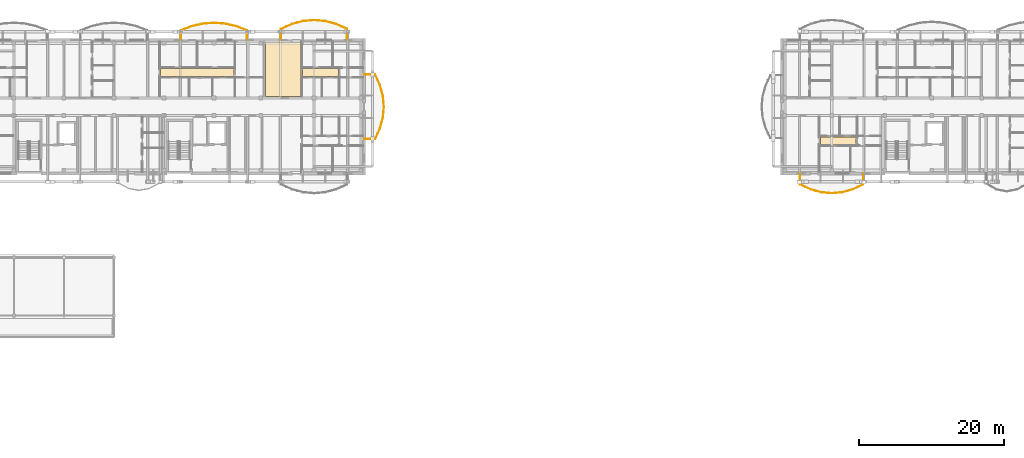
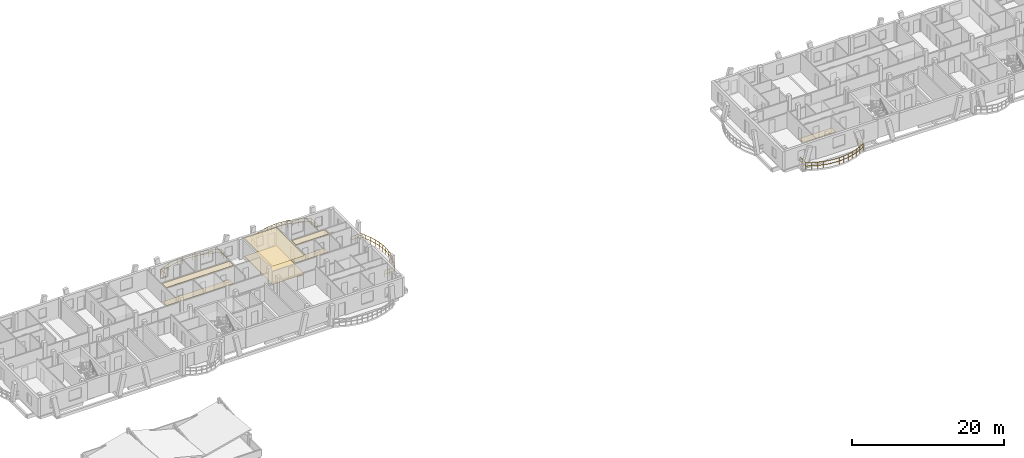
# One storey, part 45 of 50: 7 coverings, 4 railings.
"""IFC4 building model written with IfcOpenShell, lengths in metres."""

import ifcopenshell
import ifcopenshell.guid

model = None  # the IFC model being written
_history = None  # IfcOwnerHistory: only IFC2X3 demands one
_inside = {}  # id of a spatial element -> (the spatial element, [elements in it])
_under = {}  # id of a project, library or spatial element -> (it, [spatial elements below it])
_declared = {}  # id of a project -> (the project, [libraries it declares])
_typed = {}  # id of a type object -> (the type object, [elements of that type])
_made_of = {}  # id of a material, layer set ... -> (it, [elements and type objects made of it])


def new_model(schema):
    """Start an empty IFC model of exactly this schema.

    Asked for "IFC4X3", IfcOpenShell would pick the latest addendum, in which some entities
    have other attributes; the version numbers below select the first issue.
    IFC2X3 requires an IfcOwnerHistory on every rooted entity: one is made here for all.
    """
    global model, _history
    if schema == "IFC4X3":
        model = ifcopenshell.file(schema_version=(4, 3, 0, 0))
    else:
        model = ifcopenshell.file(schema=schema)
    _inside.clear()
    _under.clear()
    _declared.clear()
    _typed.clear()
    _made_of.clear()
    _history = None
    if model.schema == "IFC2X3":
        org = make("IfcOrganization", Name="unknown")
        user = make(
            "IfcPersonAndOrganization",
            ThePerson=make("IfcPerson", FamilyName="unknown"),
            TheOrganization=org,
        )
        app = make(
            "IfcApplication",
            ApplicationDeveloper=org,
            Version="unknown",
            ApplicationFullName="unknown",
            ApplicationIdentifier="unknown",
        )
        _history = make(
            "IfcOwnerHistory",
            OwningUser=user,
            OwningApplication=app,
            ChangeAction="ADDED",
            CreationDate=0,
        )
    return model


def make(cls, **values):
    """One entity of the class cls with the attributes given. An attribute that is None is left unset."""
    return model.create_entity(
        cls, **{name: value for name, value in values.items() if value is not None}
    )


def rooted(cls, **values):
    """An entity with a GlobalId (a new one), such as an element, a storey or a relation."""
    return make(cls, GlobalId=ifcopenshell.guid.new(), OwnerHistory=_history, **values)


def si_unit(unit_type, name, prefix=None):
    """IfcSIUnit, for example si_unit("LENGTHUNIT", "METRE", prefix="MILLI")."""
    return make("IfcSIUnit", UnitType=unit_type, Prefix=prefix, Name=name)


def assignment(units):
    """IfcUnitAssignment: the units of a project."""
    return None if units is None else make("IfcUnitAssignment", Units=units)


def point(xyz):
    """IfcCartesianPoint."""
    return None if xyz is None else make("IfcCartesianPoint", Coordinates=xyz)


def direction(xyz):
    """IfcDirection."""
    return None if xyz is None else make("IfcDirection", DirectionRatios=xyz)


def frame(location, z_axis=None, x_axis=None):
    """IfcAxis2Placement3D, a coordinate frame: its origin and axes. An axis left out is left unset."""
    return make(
        "IfcAxis2Placement3D",
        Location=point(location),
        Axis=direction(z_axis),
        RefDirection=direction(x_axis),
    )


def frame_2d(location, x_axis=None):
    """IfcAxis2Placement2D, a coordinate frame in the plane: its origin and x axis."""
    return make(
        "IfcAxis2Placement2D", Location=point(location), RefDirection=direction(x_axis)
    )


def origin():
    """The frame at (0, 0, 0) with its axes left unset."""
    return frame((0.0, 0.0, 0.0))


def origin_2d():
    """The frame at (0, 0) in the plane with its x axis left unset."""
    return frame_2d((0.0, 0.0))


def place(relative_to, where):
    """IfcLocalPlacement: puts the frame where relative to a parent placement (None: the world)."""
    return make(
        "IfcLocalPlacement", PlacementRelTo=relative_to, RelativePlacement=where
    )


def context(
    kind, dimensions, precision=None, world=None, true_north=None, identifier=None
):
    """IfcGeometricRepresentationContext, for example the 3D "Model" context."""
    return make(
        "IfcGeometricRepresentationContext",
        ContextIdentifier=identifier,
        ContextType=kind,
        CoordinateSpaceDimension=dimensions,
        Precision=precision,
        WorldCoordinateSystem=world,
        TrueNorth=true_north,
    )


def subcontext(parent, identifier, kind, view, scale=None):
    """IfcGeometricRepresentationSubContext, for example "Body" below "Model"."""
    return make(
        "IfcGeometricRepresentationSubContext",
        ContextIdentifier=identifier,
        ContextType=kind,
        ParentContext=parent,
        TargetScale=scale,
        TargetView=view,
    )


def project(units=None, contexts=None):
    """IfcProject with its units and contexts."""
    return rooted(
        "IfcProject",
        Name="project",
        RepresentationContexts=contexts,
        UnitsInContext=assignment(units),
    )


def spatial(cls, under=None, at=None, **own):
    """A site, building, storey or space (cls), placed at a placement, below another one or the project."""
    s = rooted(cls, ObjectPlacement=at, **own)
    if under is not None:
        _under.setdefault(under.id(), (under, []))[1].append(s)
    return s


def polyline(points):
    """IfcPolyline through the points."""
    return make("IfcPolyline", Points=[point(p) for p in points])


def profile(cls, at=None, kind="AREA", **sizes):
    """A parametric profile (cls). Its sizes go by their IFC names, for example OverallWidth=200.0."""
    return make(cls, ProfileType=kind, Position=at, **sizes)


def rectangle(**sizes):
    """IfcRectangleProfileDef."""
    return profile("IfcRectangleProfileDef", **sizes)


def outline(outer, holes=None, kind="AREA"):
    """IfcArbitraryClosedProfileDef: a profile drawn as a closed curve; with holes, ...WithVoids."""
    if holes is None:
        return make("IfcArbitraryClosedProfileDef", ProfileType=kind, OuterCurve=outer)
    return make(
        "IfcArbitraryProfileDefWithVoids",
        ProfileType=kind,
        OuterCurve=outer,
        InnerCurves=holes,
    )


def extrude(swept, where, along, depth):
    """IfcExtrudedAreaSolid: the profile swept, set in the frame where, extruded along a direction by depth."""
    return make(
        "IfcExtrudedAreaSolid",
        SweptArea=swept,
        Position=where,
        ExtrudedDirection=direction(along),
        Depth=depth,
    )


def shape(context_of_items, identifier, shape_type, items):
    """IfcShapeRepresentation: the items that make up one representation, for example the "Body"."""
    return make(
        "IfcShapeRepresentation",
        ContextOfItems=context_of_items,
        RepresentationIdentifier=identifier,
        RepresentationType=shape_type,
        Items=items,
    )


def material(Name=None, Category=None):
    """IfcMaterial."""
    return make("IfcMaterial", Name=Name, Category=Category)


def layer(
    of_material, thickness, ventilated=None, Name=None, Category=None, Priority=None
):
    """IfcMaterialLayer: one layer of a wall or slab, of a material (None: an air gap)."""
    return make(
        "IfcMaterialLayer",
        Material=of_material,
        LayerThickness=thickness,
        IsVentilated=ventilated,
        Name=Name,
        Category=Category,
        Priority=Priority,
    )


def layer_set(layers, Name=None):
    """IfcMaterialLayerSet."""
    return make("IfcMaterialLayerSet", MaterialLayers=layers, LayerSetName=Name)


def made_of(thing, what):
    """Note that an element or type object is made of a material, layer set ...; save() writes the relation."""
    if what is not None:
        _made_of.setdefault(what.id(), (what, []))[1].append(thing)
    return thing


def type_object(cls, material=None, **own):
    """A type object (cls), such as IfcWallType, which elements share."""
    return made_of(rooted(cls, **own), material)


def element(
    cls,
    number,
    at=None,
    inside=None,
    cuts=None,
    type_object=None,
    material=None,
    context=None,
    identifier="Body",
    shape_type=None,
    held_by="IfcProductDefinitionShape",
    body=None,
    shapes=None,
    **own,
):
    """One element of the class cls, such as IfcWall. Its Tag is "e" and its number.

    at: its placement. inside: the storey or other place that contains it. cuts: it is an
    opening in that element (IfcRelVoidsElement). A single representation is given by context,
    identifier, shape_type and body (its items); several are given by shapes. held_by: the class
    of the entity that holds the representations. save() writes the other relations.
    """
    e = rooted(cls, Tag="e%d" % number, ObjectPlacement=at, **own)
    if body is not None:
        shapes = [shape(context, identifier, shape_type, body)]
    if shapes is not None:
        e.Representation = make(held_by, Representations=shapes)
    if inside is not None:
        _inside.setdefault(inside.id(), (inside, []))[1].append(e)
    if cuts is not None:
        rooted(
            "IfcRelVoidsElement", RelatingBuildingElement=cuts, RelatedOpeningElement=e
        )
    if type_object is not None:
        _typed.setdefault(type_object.id(), (type_object, []))[1].append(e)
    return made_of(e, material)


def aggregate(whole, parts):
    """IfcRelAggregates: a whole, such as a stair, and the parts it consists of."""
    return rooted("IfcRelAggregates", RelatingObject=whole, RelatedObjects=parts)


def save(model, path):
    """Write the relations noted so far, then the file.

    IfcRelAggregates (storeys below a building ...), IfcRelContainedInSpatialStructure (elements
    in a storey), IfcRelDefinesByType, IfcRelAssociatesMaterial and IfcRelDeclares: one each for
    every whole, place, type object, material and project.
    """
    for whole, parts in _under.values():
        aggregate(whole, parts)
    for where, things in _inside.values():
        rooted(
            "IfcRelContainedInSpatialStructure",
            RelatedElements=things,
            RelatingStructure=where,
        )
    for kind, things in _typed.values():
        rooted("IfcRelDefinesByType", RelatedObjects=things, RelatingType=kind)
    for what, things in _made_of.values():
        rooted("IfcRelAssociatesMaterial", RelatedObjects=things, RelatingMaterial=what)
    for by, libraries in _declared.values():
        rooted("IfcRelDeclares", RelatingContext=by, RelatedDefinitions=libraries)
    model.write(path)


model = new_model("IFC4")

# Units and contexts
model_context = context("Model", 3, precision=1e-05, world=origin(), true_north=direction((0.0, 1.0)))
body_context = subcontext(model_context, "Body", "Model", "MODEL_VIEW")
ifc_project = project(units=[si_unit("LENGTHUNIT", "METRE"), si_unit("AREAUNIT", "SQUARE_METRE"), si_unit("VOLUMEUNIT", "CUBIC_METRE"), si_unit("PLANEANGLEUNIT", "RADIAN"), si_unit("MASSUNIT", "GRAM", prefix="KILO")], contexts=[model_context])

# Site, building, storey
site_placement = place(None, origin())
site = spatial("IfcSite", under=ifc_project, at=site_placement, CompositionType="ELEMENT")
building_placement = place(site_placement, origin())
building = spatial("IfcBuilding", under=site, at=building_placement, Name="Zavelmont Quarter", CompositionType="ELEMENT")
storey_placement = place(building_placement, frame((0.0, 0.0, 11.199951171875)))
storey = spatial("IfcBuildingStorey", under=building, at=storey_placement, Name="L03", CompositionType="ELEMENT", Elevation=11.199951171875)

# Coverings
ifc_material_1 = material(Name="Perforated acoustic gypsum board")
ifc_layer_1 = layer(ifc_material_1, 0.02490234375)
ifc_layer_set_1 = layer_set([ifc_layer_1], Name="Perforated acoustic gypsum board")
covering_type_1 = type_object("IfcCoveringType", Name="CV-CL01", PredefinedType="CEILING", material=ifc_layer_set_1)
covering_1_placement = place(storey_placement, frame((0.0, 0.0, 2.9150390625)))
element("IfcCovering", 1, at=covering_1_placement, inside=storey, type_object=covering_type_1, Name="L03 Living Dining acoustic ceiling", PredefinedType="CEILING", context=body_context, shape_type="SweptSolid", body=[
    extrude(outline(polyline([(41.6298828125, 115.719970703125), (46.469970703125, 115.719970703125), (46.469970703125, 108.22998046875), (41.6298828125, 108.22998046875), (41.6298828125, 115.719970703125)])), origin(), (0.0, 0.0, 1.0), 0.02490234375),
])
ifc_material_2 = material(Name="Slatted European ash acoustic baffle ceiling")
ifc_layer_2 = layer(ifc_material_2, 0.0400390625)
ifc_layer_set_2 = layer_set([ifc_layer_2], Name="Slatted European ash acoustic baffle ceiling")
covering_type_2 = type_object("IfcCoveringType", Name="CV-CL02", PredefinedType="CEILING", material=ifc_layer_set_2)
covering_2_placement = place(storey_placement, frame((0.0, 0.0, 2.900146484375)))
element("IfcCovering", 2, at=covering_2_placement, inside=storey, type_object=covering_type_2, Name="L03 Apartment Hall acoustic ceiling", PredefinedType="CEILING", context=body_context, shape_type="SweptSolid", body=[
    extrude(outline(polyline([(27.1298828125, 112.070068359375), (37.27001953125, 112.070068359375), (37.27001953125, 110.97998046875), (27.1298828125, 110.97998046875), (27.1298828125, 112.070068359375)])), origin(), (0.0, 0.0, 1.0), 0.039794921875),
])
covering_3_placement = place(storey_placement, frame((0.0, 0.0, 2.900146484375)))
element("IfcCovering", 3, at=covering_3_placement, inside=storey, type_object=covering_type_2, Name="L03 Apartment Hall acoustic ceiling", PredefinedType="CEILING", context=body_context, shape_type="SweptSolid", body=[
    extrude(outline(polyline([(46.72998046875, 112.070068359375), (51.669921875, 112.070068359375), (51.669921875, 110.97998046875), (46.72998046875, 110.97998046875), (46.72998046875, 112.070068359375)])), origin(), (0.0, 0.0, 1.0), 0.039794921875),
])
ifc_material_3 = material(Name="Engineered European oak parquet")
ifc_layer_3 = layer(ifc_material_3, 0.02197265625)
ifc_layer_set_3 = layer_set([ifc_layer_3], Name="Engineered European oak parquet")
covering_type_3 = type_object("IfcCoveringType", Name="CV-FL01", PredefinedType="FLOORING", material=ifc_layer_set_3)
covering_4_placement = place(storey_placement, origin())
element("IfcCovering", 4, at=covering_4_placement, inside=storey, type_object=covering_type_3, Name="L03 Living Dining floor finish", PredefinedType="FLOORING", context=body_context, shape_type="SweptSolid", body=[
    extrude(outline(polyline([(41.6298828125, 115.719970703125), (46.469970703125, 115.719970703125), (46.469970703125, 108.22998046875), (41.6298828125, 108.22998046875), (41.6298828125, 115.719970703125)])), origin(), (0.0, 0.0, 1.0), 0.02197265625),
])
ifc_material_4 = material(Name="Honed Belgian bluestone tile", Category="masonry")
ifc_layer_4 = layer(ifc_material_4, 0.030029296875)
ifc_layer_set_4 = layer_set([ifc_layer_4], Name="Honed Belgian bluestone tile")
covering_type_4 = type_object("IfcCoveringType", Name="CV-FL02", PredefinedType="FLOORING", material=ifc_layer_set_4)
covering_5_placement = place(storey_placement, origin())
element("IfcCovering", 5, at=covering_5_placement, inside=storey, type_object=covering_type_4, Name="L03 Apartment Hall floor finish", PredefinedType="FLOORING", context=body_context, shape_type="SweptSolid", body=[
    extrude(outline(polyline([(27.1298828125, 112.070068359375), (37.27001953125, 112.070068359375), (37.27001953125, 110.97998046875), (27.1298828125, 110.97998046875), (27.1298828125, 112.070068359375)])), origin(), (0.0, 0.0, 1.0), 0.030029296875),
])
covering_6_placement = place(storey_placement, origin())
element("IfcCovering", 6, at=covering_6_placement, inside=storey, type_object=covering_type_4, Name="L03 Apartment Hall floor finish", PredefinedType="FLOORING", context=body_context, shape_type="SweptSolid", body=[
    extrude(outline(polyline([(46.72998046875, 112.070068359375), (51.669921875, 112.070068359375), (51.669921875, 110.97998046875), (46.72998046875, 110.97998046875), (46.72998046875, 112.070068359375)])), origin(), (0.0, 0.0, 1.0), 0.030029296875),
])
covering_7_placement = place(storey_placement, origin())
element("IfcCovering", 7, at=covering_7_placement, inside=storey, type_object=covering_type_4, Name="L03 Apartment Hall floor finish", PredefinedType="FLOORING", context=body_context, shape_type="SweptSolid", body=[
    extrude(outline(polyline([(118.1298828125, 102.6201171875), (123.070068359375, 102.6201171875), (123.070068359375, 101.530029296875), (118.1298828125, 101.530029296875), (118.1298828125, 102.6201171875)])), origin(), (0.0, 0.0, 1.0), 0.030029296875),
])

# Railings
ifc_material_5 = material(Name="Powder-coated steel and tempered double safety glass", Category="steel")
railing_type = type_object("IfcRailingType", Name="RL-BAL1", PredefinedType="BALUSTRADE", material=ifc_material_5)
railing_1_placement = place(storey_placement, frame((39.07275390625, 116.02001953125, 0.0)))
element("IfcRailing", 8, at=railing_1_placement, inside=storey, type_object=railing_type, Name="L03 Block B curved balcony guard RL-BAL1", PredefinedType="BALUSTRADE", context=body_context, shape_type="SweptSolid", body=[
    extrude(rectangle(XDim=0.048095703125, YDim=0.048095703125, at=origin_2d()), frame((0.0, 0.0, 1.076171875), z_axis=(0.0, 1.0, 0.0), x_axis=(-1.0, 0.0, 0.0)), (0.0, 0.0, 1.0), 1.30615234375),
    extrude(rectangle(XDim=0.048095703125, YDim=0.048095703125, at=origin_2d()), frame((0.0, 0.0, 0.550048828125), z_axis=(0.0, 1.0, 0.0), x_axis=(-1.0, 0.0, 0.0)), (0.0, 0.0, 1.0), 1.30615234375),
    extrude(rectangle(XDim=0.048095703125, YDim=0.048095703125, at=origin_2d()), frame((0.0, 1.30615234375, 1.076171875), z_axis=(-0.934899887668, 0.354911538327, 0.0), x_axis=(-0.354911538327, -0.934899887668, 0.0)), (0.0, 0.0, 1.0), 1.63037109375),
    extrude(rectangle(XDim=0.048095703125, YDim=0.048095703125, at=origin_2d()), frame((0.0, 1.30615234375, 0.550048828125), z_axis=(-0.934899887668, 0.354911538327, 0.0), x_axis=(-0.354911538327, -0.934899887668, 0.0)), (0.0, 0.0, 1.0), 1.63037109375),
    extrude(rectangle(XDim=0.048095703125, YDim=0.048095703125, at=origin_2d()), frame((-1.524169921875, 1.884765625, 1.076171875), z_axis=(-0.975000768489, 0.222201488398, 0.0), x_axis=(-0.222201488398, -0.975000768489, 0.0)), (0.0, 0.0, 1.0), 1.5634765625),
    extrude(rectangle(XDim=0.048095703125, YDim=0.048095703125, at=origin_2d()), frame((-1.524169921875, 1.884765625, 0.550048828125), z_axis=(-0.975000768489, 0.222201488398, 0.0), x_axis=(-0.222201488398, -0.975000768489, 0.0)), (0.0, 0.0, 1.0), 1.5634765625),
    extrude(rectangle(XDim=0.048095703125, YDim=0.048095703125, at=origin_2d()), frame((-3.048583984375, 2.232177734375, 1.076171875), z_axis=(-0.997130096416, 0.075707138507, 0.0), x_axis=(-0.075707138507, -0.997130096416, 0.0)), (0.0, 0.0, 1.0), 1.528564453125),
    extrude(rectangle(XDim=0.048095703125, YDim=0.048095703125, at=origin_2d()), frame((-3.048583984375, 2.232177734375, 0.550048828125), z_axis=(-0.997130096416, 0.075707138507, 0.0), x_axis=(-0.075707138507, -0.997130096416, 0.0)), (0.0, 0.0, 1.0), 1.528564453125),
    extrude(rectangle(XDim=0.048095703125, YDim=0.048095703125, at=origin_2d()), frame((-4.57275390625, 2.347900390625, 1.076171875), z_axis=(-0.997130096416, -0.075707138507, 0.0), x_axis=(0.075707138507, -0.997130096416, 0.0)), (0.0, 0.0, 1.0), 1.528564453125),
    extrude(rectangle(XDim=0.048095703125, YDim=0.048095703125, at=origin_2d()), frame((-4.57275390625, 2.347900390625, 0.550048828125), z_axis=(-0.997130096416, -0.075707138507, 0.0), x_axis=(0.075707138507, -0.997130096416, 0.0)), (0.0, 0.0, 1.0), 1.528564453125),
    extrude(rectangle(XDim=0.048095703125, YDim=0.048095703125, at=origin_2d()), frame((-6.096923828125, 2.232177734375, 1.076171875), z_axis=(-0.975000768489, -0.222201488398, 0.0), x_axis=(0.222201488398, -0.975000768489, 0.0)), (0.0, 0.0, 1.0), 1.5634765625),
    extrude(rectangle(XDim=0.048095703125, YDim=0.048095703125, at=origin_2d()), frame((-6.096923828125, 2.232177734375, 0.550048828125), z_axis=(-0.975000768489, -0.222201488398, 0.0), x_axis=(0.222201488398, -0.975000768489, 0.0)), (0.0, 0.0, 1.0), 1.5634765625),
    extrude(rectangle(XDim=0.048095703125, YDim=0.048095703125, at=origin_2d()), frame((-7.621337890625, 1.884765625, 1.076171875), z_axis=(-0.934899887668, -0.354911538327, 0.0), x_axis=(0.354911538327, -0.934899887668, 0.0)), (0.0, 0.0, 1.0), 1.63037109375),
    extrude(rectangle(XDim=0.048095703125, YDim=0.048095703125, at=origin_2d()), frame((-7.621337890625, 1.884765625, 0.550048828125), z_axis=(-0.934899887668, -0.354911538327, 0.0), x_axis=(0.354911538327, -0.934899887668, 0.0)), (0.0, 0.0, 1.0), 1.63037109375),
    extrude(rectangle(XDim=0.048095703125, YDim=0.048095703125, at=origin_2d()), frame((-9.1455078125, 1.30615234375, 1.076171875), z_axis=(0.0, -1.0, 0.0), x_axis=(1.0, 0.0, 0.0)), (0.0, 0.0, 1.0), 1.30615234375),
    extrude(rectangle(XDim=0.048095703125, YDim=0.048095703125, at=origin_2d()), frame((-9.1455078125, 1.30615234375, 0.550048828125), z_axis=(0.0, -1.0, 0.0), x_axis=(1.0, 0.0, 0.0)), (0.0, 0.0, 1.0), 1.30615234375),
    extrude(rectangle(XDim=0.0419921875, YDim=0.0419921875, at=origin_2d()), origin(), (0.0, 0.0, 1.0), 1.052001953125),
    extrude(rectangle(XDim=0.0419921875, YDim=0.0419921875, at=origin_2d()), frame((0.0, 0.653076171875, 0.0)), (0.0, 0.0, 1.0), 1.052001953125),
    extrude(rectangle(XDim=0.0419921875, YDim=0.0419921875, at=origin_2d()), frame((0.0, 1.30615234375, 0.0)), (0.0, 0.0, 1.0), 1.052001953125),
    extrude(rectangle(XDim=0.0419921875, YDim=0.0419921875, at=origin_2d()), frame((-0.76220703125, 1.595458984375, 0.0)), (0.0, 0.0, 1.0), 1.052001953125),
    extrude(rectangle(XDim=0.0419921875, YDim=0.0419921875, at=origin_2d()), frame((-1.524169921875, 1.884765625, 0.0)), (0.0, 0.0, 1.0), 1.052001953125),
    extrude(rectangle(XDim=0.0419921875, YDim=0.0419921875, at=origin_2d()), frame((-2.286376953125, 2.05859375, 0.0)), (0.0, 0.0, 1.0), 1.052001953125),
    extrude(rectangle(XDim=0.0419921875, YDim=0.0419921875, at=origin_2d()), frame((-3.048583984375, 2.232177734375, 0.0)), (0.0, 0.0, 1.0), 1.052001953125),
    extrude(rectangle(XDim=0.0419921875, YDim=0.0419921875, at=origin_2d()), frame((-3.810546875, 2.2900390625, 0.0)), (0.0, 0.0, 1.0), 1.052001953125),
    extrude(rectangle(XDim=0.0419921875, YDim=0.0419921875, at=origin_2d()), frame((-4.57275390625, 2.347900390625, 0.0)), (0.0, 0.0, 1.0), 1.052001953125),
    extrude(rectangle(XDim=0.0419921875, YDim=0.0419921875, at=origin_2d()), frame((-5.3349609375, 2.2900390625, 0.0)), (0.0, 0.0, 1.0), 1.052001953125),
    extrude(rectangle(XDim=0.0419921875, YDim=0.0419921875, at=origin_2d()), frame((-6.096923828125, 2.232177734375, 0.0)), (0.0, 0.0, 1.0), 1.052001953125),
    extrude(rectangle(XDim=0.0419921875, YDim=0.0419921875, at=origin_2d()), frame((-6.859130859375, 2.05859375, 0.0)), (0.0, 0.0, 1.0), 1.052001953125),
    extrude(rectangle(XDim=0.0419921875, YDim=0.0419921875, at=origin_2d()), frame((-7.621337890625, 1.884765625, 0.0)), (0.0, 0.0, 1.0), 1.052001953125),
    extrude(rectangle(XDim=0.0419921875, YDim=0.0419921875, at=origin_2d()), frame((-8.38330078125, 1.595458984375, 0.0)), (0.0, 0.0, 1.0), 1.052001953125),
    extrude(rectangle(XDim=0.0419921875, YDim=0.0419921875, at=origin_2d()), frame((-9.1455078125, 1.30615234375, 0.0)), (0.0, 0.0, 1.0), 1.052001953125),
    extrude(rectangle(XDim=0.0419921875, YDim=0.0419921875, at=origin_2d()), frame((-9.1455078125, 0.653076171875, 0.0)), (0.0, 0.0, 1.0), 1.052001953125),
    extrude(rectangle(XDim=0.0419921875, YDim=0.0419921875, at=origin_2d()), frame((-9.1455078125, 0.0, 0.0)), (0.0, 0.0, 1.0), 1.052001953125),
])
railing_2_placement = place(storey_placement, frame((52.843017578125, 116.02001953125, 0.0)))
element("IfcRailing", 9, at=railing_2_placement, inside=storey, type_object=railing_type, Name="L03 Block B curved balcony guard RL-BAL1", PredefinedType="BALUSTRADE", context=body_context, shape_type="SweptSolid", body=[
    extrude(rectangle(XDim=0.048095703125, YDim=0.048095703125, at=origin_2d()), frame((0.0, 0.0, 1.076171875), z_axis=(0.0, 1.0, 0.0), x_axis=(-1.0, 0.0, 0.0)), (0.0, 0.0, 1.0), 1.515380859375),
    extrude(rectangle(XDim=0.048095703125, YDim=0.048095703125, at=origin_2d()), frame((0.0, 0.0, 0.550048828125), z_axis=(0.0, 1.0, 0.0), x_axis=(-1.0, 0.0, 0.0)), (0.0, 0.0, 1.0), 1.515380859375),
    extrude(rectangle(XDim=0.048095703125, YDim=0.048095703125, at=origin_2d()), frame((0.0, 1.515380859375, 1.076171875), z_axis=(-0.914406298696, 0.404797629569, 0.0), x_axis=(-0.404797629569, -0.914406298696, 0.0)), (0.0, 0.0, 1.0), 1.65625),
    extrude(rectangle(XDim=0.048095703125, YDim=0.048095703125, at=origin_2d()), frame((0.0, 1.515380859375, 0.550048828125), z_axis=(-0.914406298696, 0.404797629569, 0.0), x_axis=(-0.404797629569, -0.914406298696, 0.0)), (0.0, 0.0, 1.0), 1.65625),
    extrude(rectangle(XDim=0.048095703125, YDim=0.048095703125, at=origin_2d()), frame((-1.514404296875, 2.185791015625, 1.076171875), z_axis=(-0.966511096817, 0.256624822901, 0.0), x_axis=(-0.256624822901, -0.966511096817, 0.0)), (0.0, 0.0, 1.0), 1.56689453125),
    extrude(rectangle(XDim=0.048095703125, YDim=0.048095703125, at=origin_2d()), frame((-1.514404296875, 2.185791015625, 0.550048828125), z_axis=(-0.966511096817, 0.256624822901, 0.0), x_axis=(-0.256624822901, -0.966511096817, 0.0)), (0.0, 0.0, 1.0), 1.56689453125),
    extrude(rectangle(XDim=0.048095703125, YDim=0.048095703125, at=origin_2d()), frame((-3.02880859375, 2.587890625, 1.076171875), z_axis=(-0.996104995, 0.088175047123, 0.0), x_axis=(-0.088175047123, -0.996104995, 0.0)), (0.0, 0.0, 1.0), 1.52001953125),
    extrude(rectangle(XDim=0.048095703125, YDim=0.048095703125, at=origin_2d()), frame((-3.02880859375, 2.587890625, 0.550048828125), z_axis=(-0.996104995, 0.088175047123, 0.0), x_axis=(-0.088175047123, -0.996104995, 0.0)), (0.0, 0.0, 1.0), 1.52001953125),
    extrude(rectangle(XDim=0.048095703125, YDim=0.048095703125, at=origin_2d()), frame((-4.54296875, 2.721923828125, 1.076171875), z_axis=(-0.99610624342, -0.088160942711, 0.0), x_axis=(0.088160942711, -0.99610624342, 0.0)), (0.0, 0.0, 1.0), 1.520263671875),
    extrude(rectangle(XDim=0.048095703125, YDim=0.048095703125, at=origin_2d()), frame((-4.54296875, 2.721923828125, 0.550048828125), z_axis=(-0.99610624342, -0.088160942711, 0.0), x_axis=(0.088160942711, -0.99610624342, 0.0)), (0.0, 0.0, 1.0), 1.520263671875),
    extrude(rectangle(XDim=0.048095703125, YDim=0.048095703125, at=origin_2d()), frame((-6.057373046875, 2.587890625, 1.076171875), z_axis=(-0.966511096817, -0.256624822901, 0.0), x_axis=(0.256624822901, -0.966511096817, 0.0)), (0.0, 0.0, 1.0), 1.56689453125),
    extrude(rectangle(XDim=0.048095703125, YDim=0.048095703125, at=origin_2d()), frame((-6.057373046875, 2.587890625, 0.550048828125), z_axis=(-0.966511096817, -0.256624822901, 0.0), x_axis=(0.256624822901, -0.966511096817, 0.0)), (0.0, 0.0, 1.0), 1.56689453125),
    extrude(rectangle(XDim=0.048095703125, YDim=0.048095703125, at=origin_2d()), frame((-7.57177734375, 2.185791015625, 1.076171875), z_axis=(-0.91438213846, -0.40485220126, 0.0), x_axis=(0.40485220126, -0.91438213846, 0.0)), (0.0, 0.0, 1.0), 1.656005859375),
    extrude(rectangle(XDim=0.048095703125, YDim=0.048095703125, at=origin_2d()), frame((-7.57177734375, 2.185791015625, 0.550048828125), z_axis=(-0.91438213846, -0.40485220126, 0.0), x_axis=(0.40485220126, -0.91438213846, 0.0)), (0.0, 0.0, 1.0), 1.656005859375),
    extrude(rectangle(XDim=0.048095703125, YDim=0.048095703125, at=origin_2d()), frame((-9.0859375, 1.515380859375, 1.076171875), z_axis=(0.0, -1.0, 0.0), x_axis=(1.0, 0.0, 0.0)), (0.0, 0.0, 1.0), 1.515380859375),
    extrude(rectangle(XDim=0.048095703125, YDim=0.048095703125, at=origin_2d()), frame((-9.0859375, 1.515380859375, 0.550048828125), z_axis=(0.0, -1.0, 0.0), x_axis=(1.0, 0.0, 0.0)), (0.0, 0.0, 1.0), 1.515380859375),
    extrude(rectangle(XDim=0.0419921875, YDim=0.0419921875, at=origin_2d()), origin(), (0.0, 0.0, 1.0), 1.052001953125),
    extrude(rectangle(XDim=0.0419921875, YDim=0.0419921875, at=origin_2d()), frame((0.0, 0.7578125, 0.0)), (0.0, 0.0, 1.0), 1.052001953125),
    extrude(rectangle(XDim=0.0419921875, YDim=0.0419921875, at=origin_2d()), frame((0.0, 1.515380859375, 0.0)), (0.0, 0.0, 1.0), 1.052001953125),
    extrude(rectangle(XDim=0.0419921875, YDim=0.0419921875, at=origin_2d()), frame((-0.75732421875, 1.8505859375, 0.0)), (0.0, 0.0, 1.0), 1.052001953125),
    extrude(rectangle(XDim=0.0419921875, YDim=0.0419921875, at=origin_2d()), frame((-1.514404296875, 2.185791015625, 0.0)), (0.0, 0.0, 1.0), 1.052001953125),
    extrude(rectangle(XDim=0.0419921875, YDim=0.0419921875, at=origin_2d()), frame((-2.271484375, 2.38671875, 0.0)), (0.0, 0.0, 1.0), 1.052001953125),
    extrude(rectangle(XDim=0.0419921875, YDim=0.0419921875, at=origin_2d()), frame((-3.02880859375, 2.587890625, 0.0)), (0.0, 0.0, 1.0), 1.052001953125),
    extrude(rectangle(XDim=0.0419921875, YDim=0.0419921875, at=origin_2d()), frame((-3.785888671875, 2.65478515625, 0.0)), (0.0, 0.0, 1.0), 1.052001953125),
    extrude(rectangle(XDim=0.0419921875, YDim=0.0419921875, at=origin_2d()), frame((-4.54296875, 2.721923828125, 0.0)), (0.0, 0.0, 1.0), 1.052001953125),
    extrude(rectangle(XDim=0.0419921875, YDim=0.0419921875, at=origin_2d()), frame((-5.30029296875, 2.65478515625, 0.0)), (0.0, 0.0, 1.0), 1.052001953125),
    extrude(rectangle(XDim=0.0419921875, YDim=0.0419921875, at=origin_2d()), frame((-6.057373046875, 2.587890625, 0.0)), (0.0, 0.0, 1.0), 1.052001953125),
    extrude(rectangle(XDim=0.0419921875, YDim=0.0419921875, at=origin_2d()), frame((-6.814453125, 2.38671875, 0.0)), (0.0, 0.0, 1.0), 1.052001953125),
    extrude(rectangle(XDim=0.0419921875, YDim=0.0419921875, at=origin_2d()), frame((-7.57177734375, 2.185791015625, 0.0)), (0.0, 0.0, 1.0), 1.052001953125),
    extrude(rectangle(XDim=0.0419921875, YDim=0.0419921875, at=origin_2d()), frame((-8.328857421875, 1.8505859375, 0.0)), (0.0, 0.0, 1.0), 1.052001953125),
    extrude(rectangle(XDim=0.0419921875, YDim=0.0419921875, at=origin_2d()), frame((-9.0859375, 1.515380859375, 0.0)), (0.0, 0.0, 1.0), 1.052001953125),
    extrude(rectangle(XDim=0.0419921875, YDim=0.0419921875, at=origin_2d()), frame((-9.0859375, 0.7578125, 0.0)), (0.0, 0.0, 1.0), 1.052001953125),
    extrude(rectangle(XDim=0.0419921875, YDim=0.0419921875, at=origin_2d()), frame((-9.0859375, 0.0, 0.0)), (0.0, 0.0, 1.0), 1.052001953125),
])
railing_3_placement = place(storey_placement, frame((55.219970703125, 102.32958984375, 0.0)))
element("IfcRailing", 10, at=railing_3_placement, inside=storey, type_object=railing_type, Name="L03 Block B curved balcony guard RL-BAL1", PredefinedType="BALUSTRADE", context=body_context, shape_type="SweptSolid", body=[
    extrude(rectangle(XDim=0.048095703125, YDim=0.048095703125, at=origin_2d()), frame((0.0, 0.0, 1.076171875), z_axis=(1.0, 0.0, 0.0), x_axis=(0.0, 1.0, 0.0)), (0.0, 0.0, 1.0), 1.515625),
    extrude(rectangle(XDim=0.048095703125, YDim=0.048095703125, at=origin_2d()), frame((0.0, 0.0, 0.550048828125), z_axis=(1.0, 0.0, 0.0), x_axis=(0.0, 1.0, 0.0)), (0.0, 0.0, 1.0), 1.515625),
    extrude(rectangle(XDim=0.048095703125, YDim=0.048095703125, at=origin_2d()), frame((1.515625, 0.0, 1.076171875), z_axis=(0.410196906407, 0.911996983534, 0.0), x_axis=(-0.911996983534, 0.410196906407, 0.0)), (0.0, 0.0, 1.0), 1.6337890625),
    extrude(rectangle(XDim=0.048095703125, YDim=0.048095703125, at=origin_2d()), frame((1.515625, 0.0, 0.550048828125), z_axis=(0.410196906407, 0.911996983534, 0.0), x_axis=(-0.911996983534, 0.410196906407, 0.0)), (0.0, 0.0, 1.0), 1.6337890625),
    extrude(rectangle(XDim=0.048095703125, YDim=0.048095703125, at=origin_2d()), frame((2.185791015625, 1.489990234375, 1.076171875), z_axis=(0.260506631651, 0.965472058045, 0.0), x_axis=(-0.965472058045, 0.260506631651, 0.0)), (0.0, 0.0, 1.0), 1.54345703125),
    extrude(rectangle(XDim=0.048095703125, YDim=0.048095703125, at=origin_2d()), frame((2.185791015625, 1.489990234375, 0.550048828125), z_axis=(0.260506631651, 0.965472058045, 0.0), x_axis=(-0.965472058045, 0.260506631651, 0.0)), (0.0, 0.0, 1.0), 1.54345703125),
    extrude(rectangle(XDim=0.048095703125, YDim=0.048095703125, at=origin_2d()), frame((2.587890625, 2.980224609375, 1.076171875), z_axis=(0.089579430708, 0.995979681316, 0.0), x_axis=(-0.995979681316, 0.089579430708, 0.0)), (0.0, 0.0, 1.0), 1.496337890625),
    extrude(rectangle(XDim=0.048095703125, YDim=0.048095703125, at=origin_2d()), frame((2.587890625, 2.980224609375, 0.550048828125), z_axis=(0.089579430708, 0.995979681316, 0.0), x_axis=(-0.995979681316, 0.089579430708, 0.0)), (0.0, 0.0, 1.0), 1.496337890625),
    extrude(rectangle(XDim=0.048095703125, YDim=0.048095703125, at=origin_2d()), frame((2.721923828125, 4.470458984375, 1.076171875), z_axis=(-0.089593990831, 0.995978371656, 0.0), x_axis=(-0.995978371656, -0.089593990831, 0.0)), (0.0, 0.0, 1.0), 1.49609375),
    extrude(rectangle(XDim=0.048095703125, YDim=0.048095703125, at=origin_2d()), frame((2.721923828125, 4.470458984375, 0.550048828125), z_axis=(-0.089593990831, 0.995978371656, 0.0), x_axis=(-0.995978371656, -0.089593990831, 0.0)), (0.0, 0.0, 1.0), 1.49609375),
    extrude(rectangle(XDim=0.048095703125, YDim=0.048095703125, at=origin_2d()), frame((2.587890625, 5.96044921875, 1.076171875), z_axis=(-0.260506631651, 0.965472058045, 0.0), x_axis=(-0.965472058045, -0.260506631651, 0.0)), (0.0, 0.0, 1.0), 1.54345703125),
    extrude(rectangle(XDim=0.048095703125, YDim=0.048095703125, at=origin_2d()), frame((2.587890625, 5.96044921875, 0.550048828125), z_axis=(-0.260506631651, 0.965472058045, 0.0), x_axis=(-0.965472058045, -0.260506631651, 0.0)), (0.0, 0.0, 1.0), 1.54345703125),
    extrude(rectangle(XDim=0.048095703125, YDim=0.048095703125, at=origin_2d()), frame((2.185791015625, 7.45068359375, 1.076171875), z_axis=(-0.410141010164, 0.912022122419, 0.0), x_axis=(-0.912022122419, -0.410141010164, 0.0)), (0.0, 0.0, 1.0), 1.634033203125),
    extrude(rectangle(XDim=0.048095703125, YDim=0.048095703125, at=origin_2d()), frame((2.185791015625, 7.45068359375, 0.550048828125), z_axis=(-0.410141010164, 0.912022122419, 0.0), x_axis=(-0.912022122419, -0.410141010164, 0.0)), (0.0, 0.0, 1.0), 1.634033203125),
    extrude(rectangle(XDim=0.048095703125, YDim=0.048095703125, at=origin_2d()), frame((1.515625, 8.94091796875, 1.076171875), z_axis=(-1.0, 0.0, 0.0), x_axis=(0.0, -1.0, 0.0)), (0.0, 0.0, 1.0), 1.515625),
    extrude(rectangle(XDim=0.048095703125, YDim=0.048095703125, at=origin_2d()), frame((1.515625, 8.94091796875, 0.550048828125), z_axis=(-1.0, 0.0, 0.0), x_axis=(0.0, -1.0, 0.0)), (0.0, 0.0, 1.0), 1.515625),
    extrude(rectangle(XDim=0.0419921875, YDim=0.0419921875, at=origin_2d()), origin(), (0.0, 0.0, 1.0), 1.052001953125),
    extrude(rectangle(XDim=0.0419921875, YDim=0.0419921875, at=origin_2d()), frame((0.7578125, 0.0, 0.0)), (0.0, 0.0, 1.0), 1.052001953125),
    extrude(rectangle(XDim=0.0419921875, YDim=0.0419921875, at=origin_2d()), frame((1.515625, 0.0, 0.0)), (0.0, 0.0, 1.0), 1.052001953125),
    extrude(rectangle(XDim=0.0419921875, YDim=0.0419921875, at=origin_2d()), frame((1.8505859375, 0.7451171875, 0.0)), (0.0, 0.0, 1.0), 1.052001953125),
    extrude(rectangle(XDim=0.0419921875, YDim=0.0419921875, at=origin_2d()), frame((2.185791015625, 1.489990234375, 0.0)), (0.0, 0.0, 1.0), 1.052001953125),
    extrude(rectangle(XDim=0.0419921875, YDim=0.0419921875, at=origin_2d()), frame((2.38671875, 2.235107421875, 0.0)), (0.0, 0.0, 1.0), 1.052001953125),
    extrude(rectangle(XDim=0.0419921875, YDim=0.0419921875, at=origin_2d()), frame((2.587890625, 2.980224609375, 0.0)), (0.0, 0.0, 1.0), 1.052001953125),
    extrude(rectangle(XDim=0.0419921875, YDim=0.0419921875, at=origin_2d()), frame((2.65478515625, 3.725341796875, 0.0)), (0.0, 0.0, 1.0), 1.052001953125),
    extrude(rectangle(XDim=0.0419921875, YDim=0.0419921875, at=origin_2d()), frame((2.721923828125, 4.470458984375, 0.0)), (0.0, 0.0, 1.0), 1.052001953125),
    extrude(rectangle(XDim=0.0419921875, YDim=0.0419921875, at=origin_2d()), frame((2.65478515625, 5.21533203125, 0.0)), (0.0, 0.0, 1.0), 1.052001953125),
    extrude(rectangle(XDim=0.0419921875, YDim=0.0419921875, at=origin_2d()), frame((2.587890625, 5.96044921875, 0.0)), (0.0, 0.0, 1.0), 1.052001953125),
    extrude(rectangle(XDim=0.0419921875, YDim=0.0419921875, at=origin_2d()), frame((2.38671875, 6.70556640625, 0.0)), (0.0, 0.0, 1.0), 1.052001953125),
    extrude(rectangle(XDim=0.0419921875, YDim=0.0419921875, at=origin_2d()), frame((2.185791015625, 7.45068359375, 0.0)), (0.0, 0.0, 1.0), 1.052001953125),
    extrude(rectangle(XDim=0.0419921875, YDim=0.0419921875, at=origin_2d()), frame((1.8505859375, 8.19580078125, 0.0)), (0.0, 0.0, 1.0), 1.052001953125),
    extrude(rectangle(XDim=0.0419921875, YDim=0.0419921875, at=origin_2d()), frame((1.515625, 8.94091796875, 0.0)), (0.0, 0.0, 1.0), 1.052001953125),
    extrude(rectangle(XDim=0.0419921875, YDim=0.0419921875, at=origin_2d()), frame((0.7578125, 8.94091796875, 0.0)), (0.0, 0.0, 1.0), 1.052001953125),
    extrude(rectangle(XDim=0.0419921875, YDim=0.0419921875, at=origin_2d()), frame((0.0, 8.94091796875, 0.0)), (0.0, 0.0, 1.0), 1.052001953125),
])
railing_4_placement = place(storey_placement, frame((115.34716796875, 97.580078125, 0.0)))
element("IfcRailing", 11, at=railing_4_placement, inside=storey, type_object=railing_type, Name="L03 Block C curved balcony guard RL-BAL1", PredefinedType="BALUSTRADE", context=body_context, shape_type="SweptSolid", body=[
    extrude(rectangle(XDim=0.048095703125, YDim=0.048095703125, at=origin_2d()), frame((0.0, 0.0, 1.076171875), z_axis=(0.0, -1.0, 0.0), x_axis=(1.0, 0.0, 0.0)), (0.0, 0.0, 1.0), 1.514404296875),
    extrude(rectangle(XDim=0.048095703125, YDim=0.048095703125, at=origin_2d()), frame((0.0, 0.0, 0.550048828125), z_axis=(0.0, -1.0, 0.0), x_axis=(1.0, 0.0, 0.0)), (0.0, 0.0, 1.0), 1.514404296875),
    extrude(rectangle(XDim=0.048095703125, YDim=0.048095703125, at=origin_2d()), frame((0.0, -1.514404296875, 1.076171875), z_axis=(0.907896776989, -0.419193800447, 0.0), x_axis=(0.419193800447, 0.907896776989, 0.0)), (0.0, 0.0, 1.0), 1.59814453125),
    extrude(rectangle(XDim=0.048095703125, YDim=0.048095703125, at=origin_2d()), frame((0.0, -1.514404296875, 0.550048828125), z_axis=(0.907896776989, -0.419193800447, 0.0), x_axis=(0.419193800447, 0.907896776989, 0.0)), (0.0, 0.0, 1.0), 1.59814453125),
    extrude(rectangle(XDim=0.048095703125, YDim=0.048095703125, at=origin_2d()), frame((1.450927734375, -2.184326171875, 1.076171875), z_axis=(0.963719754684, -0.266916156185, 0.0), x_axis=(0.266916156185, 0.963719754684, 0.0)), (0.0, 0.0, 1.0), 1.505615234375),
    extrude(rectangle(XDim=0.048095703125, YDim=0.048095703125, at=origin_2d()), frame((1.450927734375, -2.184326171875, 0.550048828125), z_axis=(0.963719754684, -0.266916156185, 0.0), x_axis=(0.266916156185, 0.963719754684, 0.0)), (0.0, 0.0, 1.0), 1.505615234375),
    extrude(rectangle(XDim=0.048095703125, YDim=0.048095703125, at=origin_2d()), frame((2.90185546875, -2.586181640625, 1.076171875), z_axis=(0.995775639875, -0.091819796509, 0.0), x_axis=(0.091819796509, 0.995775639875, 0.0)), (0.0, 0.0, 1.0), 1.45703125),
    extrude(rectangle(XDim=0.048095703125, YDim=0.048095703125, at=origin_2d()), frame((2.90185546875, -2.586181640625, 0.550048828125), z_axis=(0.995775639875, -0.091819796509, 0.0), x_axis=(0.091819796509, 0.995775639875, 0.0)), (0.0, 0.0, 1.0), 1.45703125),
    extrude(rectangle(XDim=0.048095703125, YDim=0.048095703125, at=origin_2d()), frame((4.352783203125, -2.719970703125, 1.076171875), z_axis=(0.995775639875, 0.091819796509, 0.0), x_axis=(-0.091819796509, 0.995775639875, 0.0)), (0.0, 0.0, 1.0), 1.45703125),
    extrude(rectangle(XDim=0.048095703125, YDim=0.048095703125, at=origin_2d()), frame((4.352783203125, -2.719970703125, 0.550048828125), z_axis=(0.995775639875, 0.091819796509, 0.0), x_axis=(-0.091819796509, 0.995775639875, 0.0)), (0.0, 0.0, 1.0), 1.45703125),
    extrude(rectangle(XDim=0.048095703125, YDim=0.048095703125, at=origin_2d()), frame((5.8037109375, -2.586181640625, 1.076171875), z_axis=(0.963719754684, 0.266916156185, 0.0), x_axis=(-0.266916156185, 0.963719754684, 0.0)), (0.0, 0.0, 1.0), 1.505615234375),
    extrude(rectangle(XDim=0.048095703125, YDim=0.048095703125, at=origin_2d()), frame((5.8037109375, -2.586181640625, 0.550048828125), z_axis=(0.963719754684, 0.266916156185, 0.0), x_axis=(-0.266916156185, 0.963719754684, 0.0)), (0.0, 0.0, 1.0), 1.505615234375),
    extrude(rectangle(XDim=0.048095703125, YDim=0.048095703125, at=origin_2d()), frame((7.254638671875, -2.184326171875, 1.076171875), z_axis=(0.907923616222, 0.419135666708, 0.0), x_axis=(-0.419135666708, 0.907923616222, 0.0)), (0.0, 0.0, 1.0), 1.598388671875),
    extrude(rectangle(XDim=0.048095703125, YDim=0.048095703125, at=origin_2d()), frame((7.254638671875, -2.184326171875, 0.550048828125), z_axis=(0.907923616222, 0.419135666708, 0.0), x_axis=(-0.419135666708, 0.907923616222, 0.0)), (0.0, 0.0, 1.0), 1.598388671875),
    extrude(rectangle(XDim=0.048095703125, YDim=0.048095703125, at=origin_2d()), frame((8.705810546875, -1.514404296875, 1.076171875), z_axis=(0.0, 1.0, 0.0), x_axis=(-1.0, 0.0, 0.0)), (0.0, 0.0, 1.0), 1.514404296875),
    extrude(rectangle(XDim=0.048095703125, YDim=0.048095703125, at=origin_2d()), frame((8.705810546875, -1.514404296875, 0.550048828125), z_axis=(0.0, 1.0, 0.0), x_axis=(-1.0, 0.0, 0.0)), (0.0, 0.0, 1.0), 1.514404296875),
    extrude(rectangle(XDim=0.0419921875, YDim=0.0419921875, at=origin_2d()), origin(), (0.0, 0.0, 1.0), 1.052001953125),
    extrude(rectangle(XDim=0.0419921875, YDim=0.0419921875, at=origin_2d()), frame((0.0, -0.75732421875, 0.0)), (0.0, 0.0, 1.0), 1.052001953125),
    extrude(rectangle(XDim=0.0419921875, YDim=0.0419921875, at=origin_2d()), frame((0.0, -1.514404296875, 0.0)), (0.0, 0.0, 1.0), 1.052001953125),
    extrude(rectangle(XDim=0.0419921875, YDim=0.0419921875, at=origin_2d()), frame((0.7255859375, -1.849365234375, 0.0)), (0.0, 0.0, 1.0), 1.052001953125),
    extrude(rectangle(XDim=0.0419921875, YDim=0.0419921875, at=origin_2d()), frame((1.450927734375, -2.184326171875, 0.0)), (0.0, 0.0, 1.0), 1.052001953125),
    extrude(rectangle(XDim=0.0419921875, YDim=0.0419921875, at=origin_2d()), frame((2.17626953125, -2.38525390625, 0.0)), (0.0, 0.0, 1.0), 1.052001953125),
    extrude(rectangle(XDim=0.0419921875, YDim=0.0419921875, at=origin_2d()), frame((2.90185546875, -2.586181640625, 0.0)), (0.0, 0.0, 1.0), 1.052001953125),
    extrude(rectangle(XDim=0.0419921875, YDim=0.0419921875, at=origin_2d()), frame((3.62744140625, -2.653076171875, 0.0)), (0.0, 0.0, 1.0), 1.052001953125),
    extrude(rectangle(XDim=0.0419921875, YDim=0.0419921875, at=origin_2d()), frame((4.352783203125, -2.719970703125, 0.0)), (0.0, 0.0, 1.0), 1.052001953125),
    extrude(rectangle(XDim=0.0419921875, YDim=0.0419921875, at=origin_2d()), frame((5.078125, -2.653076171875, 0.0)), (0.0, 0.0, 1.0), 1.052001953125),
    extrude(rectangle(XDim=0.0419921875, YDim=0.0419921875, at=origin_2d()), frame((5.8037109375, -2.586181640625, 0.0)), (0.0, 0.0, 1.0), 1.052001953125),
    extrude(rectangle(XDim=0.0419921875, YDim=0.0419921875, at=origin_2d()), frame((6.529296875, -2.38525390625, 0.0)), (0.0, 0.0, 1.0), 1.052001953125),
    extrude(rectangle(XDim=0.0419921875, YDim=0.0419921875, at=origin_2d()), frame((7.254638671875, -2.184326171875, 0.0)), (0.0, 0.0, 1.0), 1.052001953125),
    extrude(rectangle(XDim=0.0419921875, YDim=0.0419921875, at=origin_2d()), frame((7.980224609375, -1.849365234375, 0.0)), (0.0, 0.0, 1.0), 1.052001953125),
    extrude(rectangle(XDim=0.0419921875, YDim=0.0419921875, at=origin_2d()), frame((8.705810546875, -1.514404296875, 0.0)), (0.0, 0.0, 1.0), 1.052001953125),
    extrude(rectangle(XDim=0.0419921875, YDim=0.0419921875, at=origin_2d()), frame((8.705810546875, -0.75732421875, 0.0)), (0.0, 0.0, 1.0), 1.052001953125),
    extrude(rectangle(XDim=0.0419921875, YDim=0.0419921875, at=origin_2d()), frame((8.705810546875, 0.0, 0.0)), (0.0, 0.0, 1.0), 1.052001953125),
])

save(model, "model.ifc")
